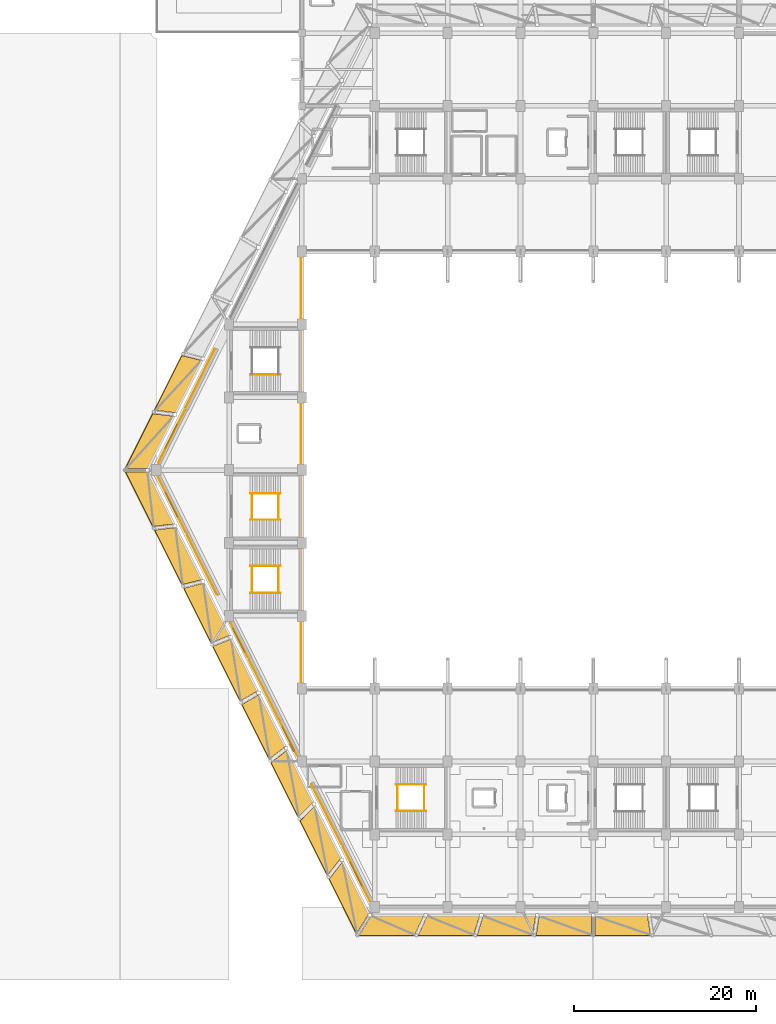
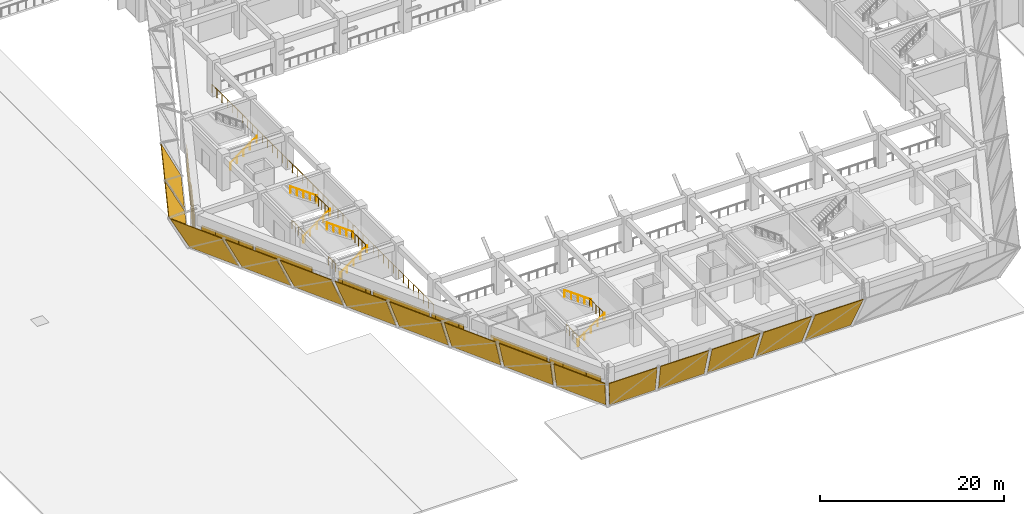
# One storey, part 41 of 46: 24 coverings, 14 railings, 5 shading devices.
"""IFC4 building model written with IfcOpenShell, lengths in metres."""

import ifcopenshell
import ifcopenshell.guid

model = None  # the IFC model being written
_history = None  # IfcOwnerHistory: only IFC2X3 demands one
_inside = {}  # id of a spatial element -> (the spatial element, [elements in it])
_under = {}  # id of a project, library or spatial element -> (it, [spatial elements below it])
_declared = {}  # id of a project -> (the project, [libraries it declares])
_typed = {}  # id of a type object -> (the type object, [elements of that type])
_made_of = {}  # id of a material, layer set ... -> (it, [elements and type objects made of it])


def new_model(schema):
    """Start an empty IFC model of exactly this schema.

    Asked for "IFC4X3", IfcOpenShell would pick the latest addendum, in which some entities
    have other attributes; the version numbers below select the first issue.
    IFC2X3 requires an IfcOwnerHistory on every rooted entity: one is made here for all.
    """
    global model, _history
    if schema == "IFC4X3":
        model = ifcopenshell.file(schema_version=(4, 3, 0, 0))
    else:
        model = ifcopenshell.file(schema=schema)
    _inside.clear()
    _under.clear()
    _declared.clear()
    _typed.clear()
    _made_of.clear()
    _history = None
    if model.schema == "IFC2X3":
        org = make("IfcOrganization", Name="unknown")
        user = make(
            "IfcPersonAndOrganization",
            ThePerson=make("IfcPerson", FamilyName="unknown"),
            TheOrganization=org,
        )
        app = make(
            "IfcApplication",
            ApplicationDeveloper=org,
            Version="unknown",
            ApplicationFullName="unknown",
            ApplicationIdentifier="unknown",
        )
        _history = make(
            "IfcOwnerHistory",
            OwningUser=user,
            OwningApplication=app,
            ChangeAction="ADDED",
            CreationDate=0,
        )
    return model


def make(cls, **values):
    """One entity of the class cls with the attributes given. An attribute that is None is left unset."""
    return model.create_entity(
        cls, **{name: value for name, value in values.items() if value is not None}
    )


def rooted(cls, **values):
    """An entity with a GlobalId (a new one), such as an element, a storey or a relation."""
    return make(cls, GlobalId=ifcopenshell.guid.new(), OwnerHistory=_history, **values)


def si_unit(unit_type, name, prefix=None):
    """IfcSIUnit, for example si_unit("LENGTHUNIT", "METRE", prefix="MILLI")."""
    return make("IfcSIUnit", UnitType=unit_type, Prefix=prefix, Name=name)


def assignment(units):
    """IfcUnitAssignment: the units of a project."""
    return None if units is None else make("IfcUnitAssignment", Units=units)


def point(xyz):
    """IfcCartesianPoint."""
    return None if xyz is None else make("IfcCartesianPoint", Coordinates=xyz)


def direction(xyz):
    """IfcDirection."""
    return None if xyz is None else make("IfcDirection", DirectionRatios=xyz)


def frame(location, z_axis=None, x_axis=None):
    """IfcAxis2Placement3D, a coordinate frame: its origin and axes. An axis left out is left unset."""
    return make(
        "IfcAxis2Placement3D",
        Location=point(location),
        Axis=direction(z_axis),
        RefDirection=direction(x_axis),
    )


def frame_2d(location, x_axis=None):
    """IfcAxis2Placement2D, a coordinate frame in the plane: its origin and x axis."""
    return make(
        "IfcAxis2Placement2D", Location=point(location), RefDirection=direction(x_axis)
    )


def origin():
    """The frame at (0, 0, 0) with its axes left unset."""
    return frame((0.0, 0.0, 0.0))


def origin_2d():
    """The frame at (0, 0) in the plane with its x axis left unset."""
    return frame_2d((0.0, 0.0))


def place(relative_to, where):
    """IfcLocalPlacement: puts the frame where relative to a parent placement (None: the world)."""
    return make(
        "IfcLocalPlacement", PlacementRelTo=relative_to, RelativePlacement=where
    )


def context(
    kind, dimensions, precision=None, world=None, true_north=None, identifier=None
):
    """IfcGeometricRepresentationContext, for example the 3D "Model" context."""
    return make(
        "IfcGeometricRepresentationContext",
        ContextIdentifier=identifier,
        ContextType=kind,
        CoordinateSpaceDimension=dimensions,
        Precision=precision,
        WorldCoordinateSystem=world,
        TrueNorth=true_north,
    )


def subcontext(parent, identifier, kind, view, scale=None):
    """IfcGeometricRepresentationSubContext, for example "Body" below "Model"."""
    return make(
        "IfcGeometricRepresentationSubContext",
        ContextIdentifier=identifier,
        ContextType=kind,
        ParentContext=parent,
        TargetScale=scale,
        TargetView=view,
    )


def project(units=None, contexts=None):
    """IfcProject with its units and contexts."""
    return rooted(
        "IfcProject",
        Name="project",
        RepresentationContexts=contexts,
        UnitsInContext=assignment(units),
    )


def spatial(cls, under=None, at=None, **own):
    """A site, building, storey or space (cls), placed at a placement, below another one or the project."""
    s = rooted(cls, ObjectPlacement=at, **own)
    if under is not None:
        _under.setdefault(under.id(), (under, []))[1].append(s)
    return s


def polyline(points):
    """IfcPolyline through the points."""
    return make("IfcPolyline", Points=[point(p) for p in points])


def profile(cls, at=None, kind="AREA", **sizes):
    """A parametric profile (cls). Its sizes go by their IFC names, for example OverallWidth=200.0."""
    return make(cls, ProfileType=kind, Position=at, **sizes)


def rectangle(**sizes):
    """IfcRectangleProfileDef."""
    return profile("IfcRectangleProfileDef", **sizes)


def circle(**sizes):
    """IfcCircleProfileDef."""
    return profile("IfcCircleProfileDef", **sizes)


def outline(outer, holes=None, kind="AREA"):
    """IfcArbitraryClosedProfileDef: a profile drawn as a closed curve; with holes, ...WithVoids."""
    if holes is None:
        return make("IfcArbitraryClosedProfileDef", ProfileType=kind, OuterCurve=outer)
    return make(
        "IfcArbitraryProfileDefWithVoids",
        ProfileType=kind,
        OuterCurve=outer,
        InnerCurves=holes,
    )


def extrude(swept, where, along, depth):
    """IfcExtrudedAreaSolid: the profile swept, set in the frame where, extruded along a direction by depth."""
    return make(
        "IfcExtrudedAreaSolid",
        SweptArea=swept,
        Position=where,
        ExtrudedDirection=direction(along),
        Depth=depth,
    )


def shape(context_of_items, identifier, shape_type, items):
    """IfcShapeRepresentation: the items that make up one representation, for example the "Body"."""
    return make(
        "IfcShapeRepresentation",
        ContextOfItems=context_of_items,
        RepresentationIdentifier=identifier,
        RepresentationType=shape_type,
        Items=items,
    )


def material(Name=None, Category=None):
    """IfcMaterial."""
    return make("IfcMaterial", Name=Name, Category=Category)


def layer(
    of_material, thickness, ventilated=None, Name=None, Category=None, Priority=None
):
    """IfcMaterialLayer: one layer of a wall or slab, of a material (None: an air gap)."""
    return make(
        "IfcMaterialLayer",
        Material=of_material,
        LayerThickness=thickness,
        IsVentilated=ventilated,
        Name=Name,
        Category=Category,
        Priority=Priority,
    )


def layer_set(layers, Name=None):
    """IfcMaterialLayerSet."""
    return make("IfcMaterialLayerSet", MaterialLayers=layers, LayerSetName=Name)


def made_of(thing, what):
    """Note that an element or type object is made of a material, layer set ...; save() writes the relation."""
    if what is not None:
        _made_of.setdefault(what.id(), (what, []))[1].append(thing)
    return thing


def type_object(cls, material=None, **own):
    """A type object (cls), such as IfcWallType, which elements share."""
    return made_of(rooted(cls, **own), material)


def element(
    cls,
    number,
    at=None,
    inside=None,
    cuts=None,
    type_object=None,
    material=None,
    context=None,
    identifier="Body",
    shape_type=None,
    held_by="IfcProductDefinitionShape",
    body=None,
    shapes=None,
    **own,
):
    """One element of the class cls, such as IfcWall. Its Tag is "e" and its number.

    at: its placement. inside: the storey or other place that contains it. cuts: it is an
    opening in that element (IfcRelVoidsElement). A single representation is given by context,
    identifier, shape_type and body (its items); several are given by shapes. held_by: the class
    of the entity that holds the representations. save() writes the other relations.
    """
    e = rooted(cls, Tag="e%d" % number, ObjectPlacement=at, **own)
    if body is not None:
        shapes = [shape(context, identifier, shape_type, body)]
    if shapes is not None:
        e.Representation = make(held_by, Representations=shapes)
    if inside is not None:
        _inside.setdefault(inside.id(), (inside, []))[1].append(e)
    if cuts is not None:
        rooted(
            "IfcRelVoidsElement", RelatingBuildingElement=cuts, RelatedOpeningElement=e
        )
    if type_object is not None:
        _typed.setdefault(type_object.id(), (type_object, []))[1].append(e)
    return made_of(e, material)


def aggregate(whole, parts):
    """IfcRelAggregates: a whole, such as a stair, and the parts it consists of."""
    return rooted("IfcRelAggregates", RelatingObject=whole, RelatedObjects=parts)


def save(model, path):
    """Write the relations noted so far, then the file.

    IfcRelAggregates (storeys below a building ...), IfcRelContainedInSpatialStructure (elements
    in a storey), IfcRelDefinesByType, IfcRelAssociatesMaterial and IfcRelDeclares: one each for
    every whole, place, type object, material and project.
    """
    for whole, parts in _under.values():
        aggregate(whole, parts)
    for where, things in _inside.values():
        rooted(
            "IfcRelContainedInSpatialStructure",
            RelatedElements=things,
            RelatingStructure=where,
        )
    for kind, things in _typed.values():
        rooted("IfcRelDefinesByType", RelatedObjects=things, RelatingType=kind)
    for what, things in _made_of.values():
        rooted("IfcRelAssociatesMaterial", RelatedObjects=things, RelatingMaterial=what)
    for by, libraries in _declared.values():
        rooted("IfcRelDeclares", RelatingContext=by, RelatedDefinitions=libraries)
    model.write(path)


model = new_model("IFC4")

# Units and contexts
model_context = context("Model", 3, precision=1e-05, world=origin(), true_north=direction((0.0, 1.0)))
body_context = subcontext(model_context, "Body", "Model", "MODEL_VIEW")
ifc_project = project(units=[si_unit("LENGTHUNIT", "METRE"), si_unit("AREAUNIT", "SQUARE_METRE"), si_unit("VOLUMEUNIT", "CUBIC_METRE"), si_unit("PLANEANGLEUNIT", "RADIAN"), si_unit("MASSUNIT", "GRAM", prefix="KILO")], contexts=[model_context])

# Site, building, storey
site_placement = place(None, origin())
site = spatial("IfcSite", under=ifc_project, at=site_placement, CompositionType="ELEMENT")
building_placement = place(site_placement, origin())
building = spatial("IfcBuilding", under=site, at=building_placement, Name="Tazarka Park Arena", CompositionType="ELEMENT")
storey_placement = place(building_placement, frame((0.0, 0.0, 10.199951171875)))
storey = spatial("IfcBuildingStorey", under=building, at=storey_placement, Name="L02", CompositionType="ELEMENT", Elevation=10.199951171875)

# Coverings
ifc_material_1 = material(Name="Dark ribbed perforated bronze-charcoal aluminium mesh", Category="aluminium")
ifc_layer = layer(ifc_material_1, 0.06005859375, Name="Dark ribbed perforated bronze-charcoal aluminium mesh")
ifc_layer_set = layer_set([ifc_layer], Name="Dark ribbed perforated bronze-charcoal aluminium mesh")
covering_type = type_object("IfcCoveringType", Name="CLD-01", PredefinedType="CLADDING", material=ifc_layer_set)
covering_1_placement = place(storey_placement, frame((63.64013671875, 15.10009765625, 0.150146484375), z_axis=(0.0, 0.903917504801, 0.427706844128), x_axis=(1.0, 0.0, 0.0)))
element("IfcCovering", 1, at=covering_1_placement, inside=storey, type_object=covering_type, Name="Folded Gem Lower Ribbed Mesh Facet 001", PredefinedType="CLADDING", context=body_context, shape_type="SweptSolid", body=[
    extrude(outline(polyline([(0.0, 0.0), (5.746337890625, 0.0), (4.715576171875, -5.144166717706446), (-1.3486328125, -5.144166717706446), (0.0, 0.0)])), origin(), (0.0, 0.0, -1.0), 0.080078125),
])
covering_2_placement = place(storey_placement, frame((69.779296875, 15.10009765625, 0.150146484375), z_axis=(0.0, 0.903917504801, 0.427706844128), x_axis=(1.0, 0.0, 0.0)))
element("IfcCovering", 2, at=covering_2_placement, inside=storey, type_object=covering_type, Name="Folded Gem Lower Ribbed Mesh Facet 002", PredefinedType="CLADDING", context=body_context, shape_type="SweptSolid", body=[
    extrude(outline(polyline([(0.0, 0.0), (5.74609375, 0.0), (5.055419921875, -5.144166717706446), (-1.0087890625, -5.144166717706446), (0.0, 0.0)])), origin(), (0.0, 0.0, -1.0), 0.080078125),
])
covering_3_placement = place(storey_placement, frame((75.918212890625, 15.10009765625, 0.150146484375), z_axis=(0.0, 0.903917504801, 0.427706844128), x_axis=(1.0, 0.0, 0.0)))
element("IfcCovering", 3, at=covering_3_placement, inside=storey, type_object=covering_type, Name="Folded Gem Lower Ribbed Mesh Facet 003", PredefinedType="CLADDING", context=body_context, shape_type="SweptSolid", body=[
    extrude(outline(polyline([(0.0, 0.0), (5.746337890625, 0.0), (5.3955078125, -5.144166717706446), (-0.668701171875, -5.144166717706446), (0.0, 0.0)])), origin(), (0.0, 0.0, -1.0), 0.080078125),
])
covering_4_placement = place(storey_placement, frame((82.057373046875, 15.10009765625, 0.150146484375), z_axis=(0.0, 0.903917504801, 0.427706844128), x_axis=(1.0, 0.0, 0.0)))
element("IfcCovering", 4, at=covering_4_placement, inside=storey, type_object=covering_type, Name="Folded Gem Lower Ribbed Mesh Facet 004", PredefinedType="CLADDING", context=body_context, shape_type="SweptSolid", body=[
    extrude(outline(polyline([(0.0, 0.0), (5.746337890625, 0.0), (5.7353515625, -5.144166717706446), (-0.328857421875, -5.144166717706446), (0.0, 0.0)])), origin(), (0.0, 0.0, -1.0), 0.080078125),
])
covering_5_placement = place(storey_placement, frame((88.1962890625, 15.10009765625, 0.150146484375), z_axis=(0.0, 0.903917504801, 0.427706844128), x_axis=(1.0, 0.0, 0.0)))
element("IfcCovering", 5, at=covering_5_placement, inside=storey, type_object=covering_type, Name="Folded Gem Lower Ribbed Mesh Facet 005", PredefinedType="CLADDING", context=body_context, shape_type="SweptSolid", body=[
    extrude(outline(polyline([(0.0, 0.0), (5.746337890625, 0.0), (6.0751953125, -5.144166717706446), (0.010986328125, -5.144166717706446), (0.0, 0.0)])), origin(), (0.0, 0.0, -1.0), 0.080078125),
])
covering_6_placement = place(storey_placement, frame((45.008544921875, 76.029296875, 0.150146484375), z_axis=(0.808498343204, -0.404240736212, 0.427691309502), x_axis=(-0.447207495521, -0.894430240958, 3.226863e-06)))
element("IfcCovering", 6, at=covering_6_placement, inside=storey, type_object=covering_type, Name="Folded Gem Lower Ribbed Mesh Facet 039", PredefinedType="CLADDING", context=body_context, shape_type="SweptSolid", body=[
    extrude(outline(polyline([(0.0, 0.0), (6.396486448149249, 0.0), (7.1793286066740025, -5.144099258387312), (0.49492656908388255, -5.144145955010431), (0.0, 0.0)])), origin(), (0.0, 0.0, -1.0), 0.080078125),
])
covering_7_placement = place(storey_placement, frame((41.9521484375, 69.9169921875, 0.150146484375), z_axis=(0.808506336195, -0.404253168098, 0.427664448388), x_axis=(-0.447210803265, -0.894428587087, -6.598426e-06)))
element("IfcCovering", 7, at=covering_7_placement, inside=storey, type_object=covering_type, Name="Folded Gem Lower Ribbed Mesh Facet 040", PredefinedType="CLADDING", context=body_context, shape_type="SweptSolid", body=[
    extrude(outline(polyline([(0.0, 0.0), (6.39670481451516, -2.220446049250313e-16), (7.486859586412662, -5.144107215608335), (0.8023483668891396, -5.144011727342346), (0.0, 0.0)])), origin(), (0.0, 0.0, -1.0), 0.080078125),
])
covering_8_placement = place(storey_placement, frame((39.091552734375, 63.804443359375, 0.150146484375), z_axis=(0.808506336195, 0.404253168098, 0.427664448388), x_axis=(0.447210803265, -0.894428587087, 6.598426e-06)))
element("IfcCovering", 8, at=covering_8_placement, inside=storey, type_object=covering_type, Name="Folded Gem Lower Ribbed Mesh Facet 041", PredefinedType="CLADDING", context=body_context, shape_type="SweptSolid", body=[
    extrude(outline(polyline([(0.0, 0.0), (6.39670481451516, 2.220446049250313e-16), (5.59435644762602, -5.144011727342346), (-1.0901547718975038, -5.144107215608335), (0.0, 0.0)])), origin(), (0.0, 0.0, -1.0), 0.080078125),
])
covering_9_placement = place(storey_placement, frame((42.147705078125, 57.69189453125, 0.150146484375), z_axis=(0.80849965091, 0.404258260858, 0.427672272898), x_axis=(0.447225280222, -0.894421348488, -9.970539e-06)))
element("IfcCovering", 9, at=covering_9_placement, inside=storey, type_object=covering_type, Name="Folded Gem Lower Ribbed Mesh Facet 042", PredefinedType="CLADDING", context=body_context, shape_type="SweptSolid", body=[
    extrude(outline(polyline([(0.0, 0.0), (6.396595633326958, 0.0), (5.901593959246286, -5.144138726549164), (-0.7828080754604377, -5.143994440996059), (0.0, 0.0)])), origin(), (0.0, 0.0, -1.0), 0.080078125),
])
covering_10_placement = place(storey_placement, frame((45.2041015625, 51.579345703125, 0.150146484375), z_axis=(0.808492620467, 0.404263181245, 0.427680912526), x_axis=(0.447225795617, -0.894421090814, 6.453659e-06)))
element("IfcCovering", 10, at=covering_10_placement, inside=storey, type_object=covering_type, Name="Folded Gem Lower Ribbed Mesh Facet 043", PredefinedType="CLADDING", context=body_context, shape_type="SweptSolid", body=[
    extrude(outline(polyline([(0.0, 0.0), (6.396486447603053, 0.0), (6.209019226510527, -5.144052563182119), (-0.475273629736041, -5.1441459541580175), (0.0, 0.0)])), origin(), (0.0, 0.0, -1.0), 0.080078125),
])
covering_11_placement = place(storey_placement, frame((48.260498046875, 45.466796875, 0.150146484375), z_axis=(0.808491348866, 0.404237239117, 0.427707836402), x_axis=(0.447207495626, -0.894430240905, -3.22696e-06)))
element("IfcCovering", 11, at=covering_11_placement, inside=storey, type_object=covering_type, Name="Folded Gem Lower Ribbed Mesh Facet 044", PredefinedType="CLADDING", context=body_context, shape_type="SweptSolid", body=[
    extrude(outline(polyline([(0.0, 0.0), (6.396486448149252, 0.0), (6.516478572895307, -5.144192653392291), (-0.1679234646948027, -5.144145954964716), (0.0, 0.0)])), origin(), (0.0, 0.0, -1.0), 0.080078125),
])
covering_12_placement = place(storey_placement, frame((51.316650390625, 39.3544921875, 0.150146484375), z_axis=(0.808506063498, 0.404236161161, 0.427681039207), x_axis=(0.447198603137, -0.894434687024, 1.45126e-07)))
element("IfcCovering", 12, at=covering_12_placement, inside=storey, type_object=covering_type, Name="Folded Gem Lower Ribbed Mesh Facet 045", PredefinedType="CLADDING", context=body_context, shape_type="SweptSolid", body=[
    extrude(outline(polyline([(0.0, 0.0), (6.39670481527617, 0.0), (6.824193838133479, -5.144096138167544), (0.13979180020671544, -5.144098238337328), (0.0, 0.0)])), origin(), (0.0, 0.0, -1.0), 0.080078125),
])
covering_13_placement = place(storey_placement, frame((54.372802734375, 33.241943359375, 0.150146484375), z_axis=(0.808506336195, 0.404253168098, 0.427664448388), x_axis=(0.447210803265, -0.894428587087, 6.598426e-06)))
element("IfcCovering", 13, at=covering_13_placement, inside=storey, type_object=covering_type, Name="Folded Gem Lower Ribbed Mesh Facet 046", PredefinedType="CLADDING", context=body_context, shape_type="SweptSolid", body=[
    extrude(outline(polyline([(0.0, 0.0), (6.39670481451516, 2.220446049250313e-16), (7.1316531821161675, -5.144000505618074), (0.4471419625926445, -5.144095993884061), (0.0, 0.0)])), origin(), (0.0, 0.0, -1.0), 0.080078125),
])
covering_14_placement = place(storey_placement, frame((57.42919921875, 27.12939453125, 0.150146484375), z_axis=(0.808499205731, 0.404241167467, 0.427689271384), x_axis=(0.447207495508, -0.894430240964, -3.226851e-06)))
element("IfcCovering", 14, at=covering_14_placement, inside=storey, type_object=covering_type, Name="Folded Gem Lower Ribbed Mesh Facet 047", PredefinedType="CLADDING", context=body_context, shape_type="SweptSolid", body=[
    extrude(outline(polyline([(0.0, 0.0), (6.396486448149249, 0.0), (7.438856613640228, -5.144145954896959), (0.7544545760501066, -5.144099258496368), (0.0, 0.0)])), origin(), (0.0, 0.0, -1.0), 0.080078125),
])
covering_15_placement = place(storey_placement, frame((60.4853515625, 21.016845703125, 0.150146484375), z_axis=(0.808506336195, 0.404253168098, 0.427664448388), x_axis=(0.4472135955, -0.894427191, 0.0)))
element("IfcCovering", 15, at=covering_15_placement, inside=storey, type_object=covering_type, Name="Folded Gem Lower Ribbed Mesh Facet 048", PredefinedType="CLADDING", context=body_context, shape_type="SweptSolid", body=[
    extrude(outline(polyline([(0.0, 0.0), (6.3964864483313075, 0.0), (7.746315960334721, -5.144052564035382), (1.0621322893124003, -5.144052564035382), (0.0, 0.0)])), origin(), (0.0, 0.0, -1.0), 0.080078125),
])
covering_16_placement = place(storey_placement, frame((41.673095703125, 67.692626953125, 0.0), z_axis=(0.0, 0.0, 1.0), x_axis=(0.447290848419, 0.89438856037, 0.0)))
element("IfcCovering", 16, at=covering_16_placement, inside=storey, type_object=covering_type, Name="Ribbed Metal Mesh Cladding EW-L02-0234", PredefinedType="CLADDING", context=body_context, shape_type="SweptSolid", body=[
    extrude(rectangle(XDim=6.505126953125, YDim=0.06005859375, at=origin_2d()), origin(), (0.0, 0.0, 1.0), 3.0),
])
covering_17_placement = place(storey_placement, frame((44.816650390625, 74.091796875, 0.0), z_axis=(0.0, 0.0, 1.0), x_axis=(0.447290848419, 0.89438856037, 0.0)))
element("IfcCovering", 17, at=covering_17_placement, inside=storey, type_object=covering_type, Name="Ribbed Metal Mesh Cladding EW-L02-0235", PredefinedType="CLADDING", context=body_context, shape_type="SweptSolid", body=[
    extrude(rectangle(XDim=7.153564453125, YDim=0.06005859375, at=origin_2d()), origin(), (0.0, 0.0, 1.0), 3.0),
])
covering_18_placement = place(storey_placement, frame((61.988525390625, 19.642578125, 0.0), z_axis=(0.0, 0.0, 1.0), x_axis=(-0.447290848419, 0.89438856037, 0.0)))
element("IfcCovering", 18, at=covering_18_placement, inside=storey, type_object=covering_type, Name="Ribbed Metal Mesh Cladding EW-L02-0240", PredefinedType="CLADDING", context=body_context, shape_type="SweptSolid", body=[
    extrude(rectangle(XDim=6.718017578125, YDim=0.06005859375, at=origin_2d()), origin(), (0.0, 0.0, 1.0), 3.0),
])
covering_19_placement = place(storey_placement, frame((58.6962890625, 26.205078125, 0.0), z_axis=(0.0, 0.0, 1.0), x_axis=(-0.447290848419, 0.89438856037, 0.0)))
element("IfcCovering", 19, at=covering_19_placement, inside=storey, type_object=covering_type, Name="Ribbed Metal Mesh Cladding EW-L02-0241", PredefinedType="CLADDING", context=body_context, shape_type="SweptSolid", body=[
    extrude(rectangle(XDim=7.366455078125, YDim=0.06005859375, at=origin_2d()), origin(), (0.0, 0.0, 1.0), 3.0),
])
covering_20_placement = place(storey_placement, frame((54.542236328125, 34.49072265625, 0.0), z_axis=(0.0, 0.0, 1.0), x_axis=(-0.447290848419, 0.89438856037, 0.0)))
element("IfcCovering", 20, at=covering_20_placement, inside=storey, type_object=covering_type, Name="Ribbed Metal Mesh Cladding EW-L02-0242", PredefinedType="CLADDING", context=body_context, shape_type="SweptSolid", body=[
    extrude(rectangle(XDim=4.16259765625, YDim=0.06005859375, at=origin_2d()), origin(), (0.0, 0.0, 1.0), 3.0),
])
covering_21_placement = place(storey_placement, frame((51.821044921875, 39.91064453125, 0.0), z_axis=(0.0, 0.0, 1.0), x_axis=(-0.447290848419, 0.89438856037, 0.0)))
element("IfcCovering", 21, at=covering_21_placement, inside=storey, type_object=covering_type, Name="Ribbed Metal Mesh Cladding EW-L02-0243", PredefinedType="CLADDING", context=body_context, shape_type="SweptSolid", body=[
    extrude(rectangle(XDim=7.36669921875, YDim=0.06005859375, at=origin_2d()), origin(), (0.0, 0.0, 1.0), 3.0),
])
covering_22_placement = place(storey_placement, frame((49.10009765625, 45.330322265625, 0.0), z_axis=(0.0, 0.0, 1.0), x_axis=(-0.447290848419, 0.89438856037, 0.0)))
element("IfcCovering", 22, at=covering_22_placement, inside=storey, type_object=covering_type, Name="Ribbed Metal Mesh Cladding EW-L02-0244", PredefinedType="CLADDING", context=body_context, shape_type="SweptSolid", body=[
    extrude(rectangle(XDim=4.16259765625, YDim=0.06005859375, at=origin_2d()), origin(), (0.0, 0.0, 1.0), 3.0),
])
covering_23_placement = place(storey_placement, frame((44.999755859375, 53.642578125, 0.0), z_axis=(0.0, 0.0, 1.0), x_axis=(-0.447290848419, 0.89438856037, 0.0)))
element("IfcCovering", 23, at=covering_23_placement, inside=storey, type_object=covering_type, Name="Ribbed Metal Mesh Cladding EW-L02-0245", PredefinedType="CLADDING", context=body_context, shape_type="SweptSolid", body=[
    extrude(rectangle(XDim=7.366455078125, YDim=0.06005859375, at=origin_2d()), origin(), (0.0, 0.0, 1.0), 3.0),
])
covering_24_placement = place(storey_placement, frame((41.711669921875, 60.207763671875, 0.0), z_axis=(0.0, 0.0, 1.0), x_axis=(-0.447290848419, 0.89438856037, 0.0)))
element("IfcCovering", 24, at=covering_24_placement, inside=storey, type_object=covering_type, Name="Ribbed Metal Mesh Cladding EW-L02-0246", PredefinedType="CLADDING", context=body_context, shape_type="SweptSolid", body=[
    extrude(rectangle(XDim=6.718017578125, YDim=0.06005859375, at=origin_2d()), origin(), (0.0, 0.0, 1.0), 3.0),
])

# Railings
ifc_material_2 = material(Name="Brushed architectural stainless steel", Category="steel")
railing_type_1 = type_object("IfcRailingType", Name="HR-01", PredefinedType="HANDRAIL", material=ifc_material_2)
railing_1_placement = place(storey_placement, frame((66.31494140625, 26.550048828125, 0.0)))
element("IfcRailing", 25, at=railing_1_placement, inside=storey, type_object=railing_type_1, Name="Stair Handrail ST09-L02-F1", PredefinedType="HANDRAIL", context=body_context, shape_type="SweptSolid", body=[
    extrude(circle(Radius=0.02392578125, at=origin_2d()), frame((0.0, 0.0, 0.89599609375), z_axis=(0.809980229442, 0.0, 0.586457183359), x_axis=(0.0, 1.0, 0.0)), (0.0, 0.0, 1.0), 4.092529296875),
    extrude(circle(Radius=0.02099609375, at=origin_2d()), origin(), (0.0, 0.0, 1.0), 0.871826171875),
    extrude(circle(Radius=0.02099609375, at=origin_2d()), frame((0.82861328125, 0.0, 0.60009765625)), (0.0, 0.0, 1.0), 0.871826171875),
    extrude(circle(Radius=0.02099609375, at=origin_2d()), frame((1.657470703125, 0.0, 1.2001953125)), (0.0, 0.0, 1.0), 0.871826171875),
    extrude(circle(Radius=0.02099609375, at=origin_2d()), frame((2.486328125, 0.0, 1.800048828125)), (0.0, 0.0, 1.0), 0.871826171875),
    extrude(circle(Radius=0.02099609375, at=origin_2d()), frame((3.31494140625, 0.0, 2.400146484375)), (0.0, 0.0, 1.0), 0.871826171875),
])
railing_2_placement = place(storey_placement, frame((69.6298828125, 29.449951171875, 2.400146484375)))
element("IfcRailing", 26, at=railing_2_placement, inside=storey, type_object=railing_type_1, Name="Stair Handrail ST09-L02-F2", PredefinedType="HANDRAIL", context=body_context, shape_type="SweptSolid", body=[
    extrude(circle(Radius=0.02392578125, at=origin_2d()), frame((0.0, 0.0, 0.89599609375), z_axis=(-0.810008566192, 0.0, 0.586418044312), x_axis=(0.0, -1.0, 0.0)), (0.0, 0.0, 1.0), 4.092529296875),
    extrude(circle(Radius=0.02099609375, at=origin_2d()), origin(), (0.0, 0.0, 1.0), 0.871826171875),
    extrude(circle(Radius=0.02099609375, at=origin_2d()), frame((-0.82861328125, 0.0, 0.60009765625)), (0.0, 0.0, 1.0), 0.871826171875),
    extrude(circle(Radius=0.02099609375, at=origin_2d()), frame((-1.657470703125, 0.0, 1.199951171875)), (0.0, 0.0, 1.0), 0.871826171875),
    extrude(circle(Radius=0.02099609375, at=origin_2d()), frame((-2.486328125, 0.0, 1.7998046875)), (0.0, 0.0, 1.0), 0.871826171875),
    extrude(circle(Radius=0.02099609375, at=origin_2d()), frame((-3.31494140625, 0.0, 2.39990234375)), (0.0, 0.0, 1.0), 0.871826171875),
])
railing_3_placement = place(storey_placement, frame((50.31494140625, 58.550048828125, 0.0)))
element("IfcRailing", 27, at=railing_3_placement, inside=storey, type_object=railing_type_1, Name="Stair Handrail ST13-L02-F1", PredefinedType="HANDRAIL", context=body_context, shape_type="SweptSolid", body=[
    extrude(circle(Radius=0.02392578125, at=origin_2d()), frame((0.0, 0.0, 0.89599609375), z_axis=(0.809980229442, 0.0, 0.586457183359), x_axis=(0.0, 1.0, 0.0)), (0.0, 0.0, 1.0), 4.092529296875),
    extrude(circle(Radius=0.02099609375, at=origin_2d()), origin(), (0.0, 0.0, 1.0), 0.871826171875),
    extrude(circle(Radius=0.02099609375, at=origin_2d()), frame((0.82861328125, 0.0, 0.60009765625)), (0.0, 0.0, 1.0), 0.871826171875),
    extrude(circle(Radius=0.02099609375, at=origin_2d()), frame((1.657470703125, 0.0, 1.2001953125)), (0.0, 0.0, 1.0), 0.871826171875),
    extrude(circle(Radius=0.02099609375, at=origin_2d()), frame((2.486328125, 0.0, 1.800048828125)), (0.0, 0.0, 1.0), 0.871826171875),
    extrude(circle(Radius=0.02099609375, at=origin_2d()), frame((3.31494140625, 0.0, 2.400146484375)), (0.0, 0.0, 1.0), 0.871826171875),
])
railing_4_placement = place(storey_placement, frame((53.6298828125, 61.449951171875, 2.400146484375)))
element("IfcRailing", 28, at=railing_4_placement, inside=storey, type_object=railing_type_1, Name="Stair Handrail ST13-L02-F2", PredefinedType="HANDRAIL", context=body_context, shape_type="SweptSolid", body=[
    extrude(circle(Radius=0.02392578125, at=origin_2d()), frame((0.0, 0.0, 0.89599609375), z_axis=(-0.810008566192, 0.0, 0.586418044312), x_axis=(0.0, -1.0, 0.0)), (0.0, 0.0, 1.0), 4.092529296875),
    extrude(circle(Radius=0.02099609375, at=origin_2d()), origin(), (0.0, 0.0, 1.0), 0.871826171875),
    extrude(circle(Radius=0.02099609375, at=origin_2d()), frame((-0.82861328125, 0.0, 0.60009765625)), (0.0, 0.0, 1.0), 0.871826171875),
    extrude(circle(Radius=0.02099609375, at=origin_2d()), frame((-1.657470703125, 0.0, 1.199951171875)), (0.0, 0.0, 1.0), 0.871826171875),
    extrude(circle(Radius=0.02099609375, at=origin_2d()), frame((-2.486328125, 0.0, 1.7998046875)), (0.0, 0.0, 1.0), 0.871826171875),
    extrude(circle(Radius=0.02099609375, at=origin_2d()), frame((-3.31494140625, 0.0, 2.39990234375)), (0.0, 0.0, 1.0), 0.871826171875),
])
railing_5_placement = place(storey_placement, frame((50.31494140625, 50.510009765625, 0.0)))
element("IfcRailing", 29, at=railing_5_placement, inside=storey, type_object=railing_type_1, Name="Stair Handrail ST19-L02-F1", PredefinedType="HANDRAIL", context=body_context, shape_type="SweptSolid", body=[
    extrude(circle(Radius=0.02392578125, at=origin_2d()), frame((0.0, 0.0, 0.89599609375), z_axis=(0.809980229442, 0.0, 0.586457183359), x_axis=(0.0, 1.0, 0.0)), (0.0, 0.0, 1.0), 4.092529296875),
    extrude(circle(Radius=0.02099609375, at=origin_2d()), origin(), (0.0, 0.0, 1.0), 0.871826171875),
    extrude(circle(Radius=0.02099609375, at=origin_2d()), frame((0.82861328125, 0.0, 0.60009765625)), (0.0, 0.0, 1.0), 0.871826171875),
    extrude(circle(Radius=0.02099609375, at=origin_2d()), frame((1.657470703125, 0.0, 1.2001953125)), (0.0, 0.0, 1.0), 0.871826171875),
    extrude(circle(Radius=0.02099609375, at=origin_2d()), frame((2.486328125, 0.0, 1.800048828125)), (0.0, 0.0, 1.0), 0.871826171875),
    extrude(circle(Radius=0.02099609375, at=origin_2d()), frame((3.31494140625, 0.0, 2.400146484375)), (0.0, 0.0, 1.0), 0.871826171875),
])
railing_6_placement = place(storey_placement, frame((53.6298828125, 53.489990234375, 2.400146484375)))
element("IfcRailing", 30, at=railing_6_placement, inside=storey, type_object=railing_type_1, Name="Stair Handrail ST19-L02-F2", PredefinedType="HANDRAIL", context=body_context, shape_type="SweptSolid", body=[
    extrude(circle(Radius=0.02392578125, at=origin_2d()), frame((0.0, 0.0, 0.89599609375), z_axis=(-0.810008566192, 0.0, 0.586418044312), x_axis=(0.0, -1.0, 0.0)), (0.0, 0.0, 1.0), 4.092529296875),
    extrude(circle(Radius=0.02099609375, at=origin_2d()), origin(), (0.0, 0.0, 1.0), 0.871826171875),
    extrude(circle(Radius=0.02099609375, at=origin_2d()), frame((-0.82861328125, 0.0, 0.60009765625)), (0.0, 0.0, 1.0), 0.871826171875),
    extrude(circle(Radius=0.02099609375, at=origin_2d()), frame((-1.657470703125, 0.0, 1.199951171875)), (0.0, 0.0, 1.0), 0.871826171875),
    extrude(circle(Radius=0.02099609375, at=origin_2d()), frame((-2.486328125, 0.0, 1.7998046875)), (0.0, 0.0, 1.0), 0.871826171875),
    extrude(circle(Radius=0.02099609375, at=origin_2d()), frame((-3.31494140625, 0.0, 2.39990234375)), (0.0, 0.0, 1.0), 0.871826171875),
])
railing_7_placement = place(storey_placement, frame((50.31494140625, 74.510009765625, 0.0)))
element("IfcRailing", 31, at=railing_7_placement, inside=storey, type_object=railing_type_1, Name="Stair Handrail ST20-L02-F1", PredefinedType="HANDRAIL", context=body_context, shape_type="SweptSolid", body=[
    extrude(circle(Radius=0.02392578125, at=origin_2d()), frame((0.0, 0.0, 0.89599609375), z_axis=(0.809980229442, 0.0, 0.586457183359), x_axis=(0.0, 1.0, 0.0)), (0.0, 0.0, 1.0), 4.092529296875),
    extrude(circle(Radius=0.02099609375, at=origin_2d()), origin(), (0.0, 0.0, 1.0), 0.871826171875),
    extrude(circle(Radius=0.02099609375, at=origin_2d()), frame((0.82861328125, 0.0, 0.60009765625)), (0.0, 0.0, 1.0), 0.871826171875),
    extrude(circle(Radius=0.02099609375, at=origin_2d()), frame((1.657470703125, 0.0, 1.2001953125)), (0.0, 0.0, 1.0), 0.871826171875),
    extrude(circle(Radius=0.02099609375, at=origin_2d()), frame((2.486328125, 0.0, 1.800048828125)), (0.0, 0.0, 1.0), 0.871826171875),
    extrude(circle(Radius=0.02099609375, at=origin_2d()), frame((3.31494140625, 0.0, 2.400146484375)), (0.0, 0.0, 1.0), 0.871826171875),
])
ifc_material_3 = material(Name="Galvanised powder-coated architectural steel", Category="steel")
railing_type_2 = type_object("IfcRailingType", Name="IGR-01", PredefinedType="GUARDRAIL", material=ifc_material_3)
for number, where, name in (
    (32, (66.514892578125, 26.550048828125, 0.0), "Stair Well Guardrail ST09-L02"),
    (33, (69.429931640625, 26.550048828125, 2.400146484375), "Landing Guardrail ST09-L02-M"),
    (34, (50.514892578125, 58.550048828125, 0.0), "Stair Well Guardrail ST13-L02"),
    (35, (53.429931640625, 58.550048828125, 2.400146484375), "Landing Guardrail ST13-L02-M"),
):
    element("IfcRailing", number, at=place(storey_placement, frame(where)), inside=storey, type_object=railing_type_2, Name=name, PredefinedType="GUARDRAIL", context=body_context, shape_type="SweptSolid", body=[
        extrude(circle(Radius=0.02392578125, at=origin_2d()), frame((0.0, 0.0, 1.1259765625), z_axis=(0.0, 1.0, 0.0), x_axis=(-1.0, 0.0, 0.0)), (0.0, 0.0, 1.0), 2.89990234375),
        extrude(circle(Radius=0.02099609375, at=origin_2d()), origin(), (0.0, 0.0, 1.0), 1.101806640625),
        extrude(circle(Radius=0.02099609375, at=origin_2d()), frame((0.0, 0.72509765625, 0.0)), (0.0, 0.0, 1.0), 1.101806640625),
        extrude(circle(Radius=0.02099609375, at=origin_2d()), frame((0.0, 1.449951171875, 0.0)), (0.0, 0.0, 1.0), 1.101806640625),
        extrude(circle(Radius=0.02099609375, at=origin_2d()), frame((0.0, 2.1748046875, 0.0)), (0.0, 0.0, 1.0), 1.101806640625),
        extrude(circle(Radius=0.02099609375, at=origin_2d()), frame((0.0, 2.89990234375, 0.0)), (0.0, 0.0, 1.0), 1.101806640625),
    ])
for number, where, name in (
    (36, (50.514892578125, 50.510009765625, 0.0), "Stair Well Guardrail ST19-L02"),
    (37, (53.429931640625, 50.510009765625, 2.400146484375), "Landing Guardrail ST19-L02-M"),
):
    element("IfcRailing", number, at=place(storey_placement, frame(where)), inside=storey, type_object=railing_type_2, Name=name, PredefinedType="GUARDRAIL", context=body_context, shape_type="SweptSolid", body=[
        extrude(circle(Radius=0.02392578125, at=origin_2d()), frame((0.0, 0.0, 1.1259765625), z_axis=(0.0, 1.0, 0.0), x_axis=(-1.0, 0.0, 0.0)), (0.0, 0.0, 1.0), 2.97998046875),
        extrude(circle(Radius=0.02099609375, at=origin_2d()), origin(), (0.0, 0.0, 1.0), 1.101806640625),
        extrude(circle(Radius=0.02099609375, at=origin_2d()), frame((0.0, 0.7451171875, 0.0)), (0.0, 0.0, 1.0), 1.101806640625),
        extrude(circle(Radius=0.02099609375, at=origin_2d()), frame((0.0, 1.489990234375, 0.0)), (0.0, 0.0, 1.0), 1.101806640625),
        extrude(circle(Radius=0.02099609375, at=origin_2d()), frame((0.0, 2.23486328125, 0.0)), (0.0, 0.0, 1.0), 1.101806640625),
        extrude(circle(Radius=0.02099609375, at=origin_2d()), frame((0.0, 2.97998046875, 0.0)), (0.0, 0.0, 1.0), 1.101806640625),
    ])
railing_8_placement = place(storey_placement, frame((55.8798828125, 39.8798828125, 0.0)))
element("IfcRailing", 38, at=railing_8_placement, inside=storey, type_object=railing_type_2, Name="Interior Barrier Guardrail IGR-01-005", PredefinedType="GUARDRAIL", context=body_context, shape_type="SweptSolid", body=[
    extrude(circle(Radius=0.02392578125, at=origin_2d()), frame((0.0, 0.0, 1.1259765625), z_axis=(0.0, 1.0, 0.0), x_axis=(-1.0, 0.0, 0.0)), (0.0, 0.0, 1.0), 48.240234375),
    extrude(circle(Radius=0.02099609375, at=origin_2d()), origin(), (0.0, 0.0, 1.0), 1.101806640625),
    extrude(circle(Radius=0.02099609375, at=origin_2d()), frame((0.0, 1.096435546875, 0.0)), (0.0, 0.0, 1.0), 1.101806640625),
    extrude(circle(Radius=0.02099609375, at=origin_2d()), frame((0.0, 2.192626953125, 0.0)), (0.0, 0.0, 1.0), 1.101806640625),
    extrude(circle(Radius=0.02099609375, at=origin_2d()), frame((0.0, 3.2890625, 0.0)), (0.0, 0.0, 1.0), 1.101806640625),
    extrude(circle(Radius=0.02099609375, at=origin_2d()), frame((0.0, 4.385498046875, 0.0)), (0.0, 0.0, 1.0), 1.101806640625),
    extrude(circle(Radius=0.02099609375, at=origin_2d()), frame((0.0, 5.48193359375, 0.0)), (0.0, 0.0, 1.0), 1.101806640625),
    extrude(circle(Radius=0.02099609375, at=origin_2d()), frame((0.0, 6.578125, 0.0)), (0.0, 0.0, 1.0), 1.101806640625),
    extrude(circle(Radius=0.02099609375, at=origin_2d()), frame((0.0, 7.674560546875, 0.0)), (0.0, 0.0, 1.0), 1.101806640625),
    extrude(circle(Radius=0.02099609375, at=origin_2d()), frame((0.0, 8.77099609375, 0.0)), (0.0, 0.0, 1.0), 1.101806640625),
    extrude(circle(Radius=0.02099609375, at=origin_2d()), frame((0.0, 9.867431640625, 0.0)), (0.0, 0.0, 1.0), 1.101806640625),
    extrude(circle(Radius=0.02099609375, at=origin_2d()), frame((0.0, 10.963623046875, 0.0)), (0.0, 0.0, 1.0), 1.101806640625),
    extrude(circle(Radius=0.02099609375, at=origin_2d()), frame((0.0, 12.06005859375, 0.0)), (0.0, 0.0, 1.0), 1.101806640625),
    extrude(circle(Radius=0.02099609375, at=origin_2d()), frame((0.0, 13.156494140625, 0.0)), (0.0, 0.0, 1.0), 1.101806640625),
    extrude(circle(Radius=0.02099609375, at=origin_2d()), frame((0.0, 14.252685546875, 0.0)), (0.0, 0.0, 1.0), 1.101806640625),
    extrude(circle(Radius=0.02099609375, at=origin_2d()), frame((0.0, 15.34912109375, 0.0)), (0.0, 0.0, 1.0), 1.101806640625),
    extrude(circle(Radius=0.02099609375, at=origin_2d()), frame((0.0, 16.445556640625, 0.0)), (0.0, 0.0, 1.0), 1.101806640625),
    extrude(circle(Radius=0.02099609375, at=origin_2d()), frame((0.0, 17.5419921875, 0.0)), (0.0, 0.0, 1.0), 1.101806640625),
    extrude(circle(Radius=0.02099609375, at=origin_2d()), frame((0.0, 18.63818359375, 0.0)), (0.0, 0.0, 1.0), 1.101806640625),
    extrude(circle(Radius=0.02099609375, at=origin_2d()), frame((0.0, 19.734619140625, 0.0)), (0.0, 0.0, 1.0), 1.101806640625),
    extrude(circle(Radius=0.02099609375, at=origin_2d()), frame((0.0, 20.8310546875, 0.0)), (0.0, 0.0, 1.0), 1.101806640625),
    extrude(circle(Radius=0.02099609375, at=origin_2d()), frame((0.0, 21.927490234375, 0.0)), (0.0, 0.0, 1.0), 1.101806640625),
    extrude(circle(Radius=0.02099609375, at=origin_2d()), frame((0.0, 23.023681640625, 0.0)), (0.0, 0.0, 1.0), 1.101806640625),
    extrude(circle(Radius=0.02099609375, at=origin_2d()), frame((0.0, 24.1201171875, 0.0)), (0.0, 0.0, 1.0), 1.101806640625),
    extrude(circle(Radius=0.02099609375, at=origin_2d()), frame((0.0, 25.216552734375, 0.0)), (0.0, 0.0, 1.0), 1.101806640625),
    extrude(circle(Radius=0.02099609375, at=origin_2d()), frame((0.0, 26.312744140625, 0.0)), (0.0, 0.0, 1.0), 1.101806640625),
    extrude(circle(Radius=0.02099609375, at=origin_2d()), frame((0.0, 27.4091796875, 0.0)), (0.0, 0.0, 1.0), 1.101806640625),
    extrude(circle(Radius=0.02099609375, at=origin_2d()), frame((0.0, 28.505615234375, 0.0)), (0.0, 0.0, 1.0), 1.101806640625),
    extrude(circle(Radius=0.02099609375, at=origin_2d()), frame((0.0, 29.60205078125, 0.0)), (0.0, 0.0, 1.0), 1.101806640625),
    extrude(circle(Radius=0.02099609375, at=origin_2d()), frame((0.0, 30.6982421875, 0.0)), (0.0, 0.0, 1.0), 1.101806640625),
    extrude(circle(Radius=0.02099609375, at=origin_2d()), frame((0.0, 31.794677734375, 0.0)), (0.0, 0.0, 1.0), 1.101806640625),
    extrude(circle(Radius=0.02099609375, at=origin_2d()), frame((0.0, 32.89111328125, 0.0)), (0.0, 0.0, 1.0), 1.101806640625),
    extrude(circle(Radius=0.02099609375, at=origin_2d()), frame((0.0, 33.987548828125, 0.0)), (0.0, 0.0, 1.0), 1.101806640625),
    extrude(circle(Radius=0.02099609375, at=origin_2d()), frame((0.0, 35.083740234375, 0.0)), (0.0, 0.0, 1.0), 1.101806640625),
    extrude(circle(Radius=0.02099609375, at=origin_2d()), frame((0.0, 36.18017578125, 0.0)), (0.0, 0.0, 1.0), 1.101806640625),
    extrude(circle(Radius=0.02099609375, at=origin_2d()), frame((0.0, 37.276611328125, 0.0)), (0.0, 0.0, 1.0), 1.101806640625),
    extrude(circle(Radius=0.02099609375, at=origin_2d()), frame((0.0, 38.372802734375, 0.0)), (0.0, 0.0, 1.0), 1.101806640625),
    extrude(circle(Radius=0.02099609375, at=origin_2d()), frame((0.0, 39.46923828125, 0.0)), (0.0, 0.0, 1.0), 1.101806640625),
    extrude(circle(Radius=0.02099609375, at=origin_2d()), frame((0.0, 40.565673828125, 0.0)), (0.0, 0.0, 1.0), 1.101806640625),
    extrude(circle(Radius=0.02099609375, at=origin_2d()), frame((0.0, 41.662109375, 0.0)), (0.0, 0.0, 1.0), 1.101806640625),
    extrude(circle(Radius=0.02099609375, at=origin_2d()), frame((0.0, 42.75830078125, 0.0)), (0.0, 0.0, 1.0), 1.101806640625),
    extrude(circle(Radius=0.02099609375, at=origin_2d()), frame((0.0, 43.854736328125, 0.0)), (0.0, 0.0, 1.0), 1.101806640625),
    extrude(circle(Radius=0.02099609375, at=origin_2d()), frame((0.0, 44.951171875, 0.0)), (0.0, 0.0, 1.0), 1.101806640625),
    extrude(circle(Radius=0.02099609375, at=origin_2d()), frame((0.0, 46.047607421875, 0.0)), (0.0, 0.0, 1.0), 1.101806640625),
    extrude(circle(Radius=0.02099609375, at=origin_2d()), frame((0.0, 47.143798828125, 0.0)), (0.0, 0.0, 1.0), 1.101806640625),
    extrude(circle(Radius=0.02099609375, at=origin_2d()), frame((0.0, 48.240234375, 0.0)), (0.0, 0.0, 1.0), 1.101806640625),
])

# Shading devices
ifc_material_4 = material(Name="Dark ribbed perforated bronze-charcoal aluminium mesh", Category="aluminium")
shading_device_type = type_object("IfcShadingDeviceType", Name="SHD-02", PredefinedType="JALOUSIE", material=ifc_material_4)
for number, where, z_axis, x_axis, name in (
    (39, (41.619384765625, 67.719482421875, 0.0), (0.0, 0.0, 1.0), (0.447290848419, 0.89438856037, 0.0), "Perforated Mesh Screen EW-L02-0234"),
    (40, (61.93505859375, 19.61572265625, 0.0), (0.0, 0.0, 1.0), (-0.447290848419, 0.89438856037, 0.0), "Perforated Mesh Screen EW-L02-0240"),
    (41, (54.488525390625, 34.4638671875, 0.0), (0.0, 0.0, 1.0), (-0.447290848419, 0.89438856037, 0.0), "Perforated Mesh Screen EW-L02-0242"),
    (42, (49.04638671875, 45.3037109375, 0.0), (0.0, 0.0, 1.0), (-0.447290848419, 0.89438856037, 0.0), "Perforated Mesh Screen EW-L02-0244"),
    (43, (41.658203125, 60.180908203125, 0.0), (0.0, 0.0, 1.0), (-0.447290848419, 0.89438856037, 0.0), "Perforated Mesh Screen EW-L02-0246"),
):
    element("IfcShadingDevice", number, at=place(storey_placement, frame(where, z_axis=z_axis, x_axis=x_axis)), inside=storey, type_object=shading_device_type, Name=name, PredefinedType="JALOUSIE", context=body_context, shape_type="SweptSolid", body=[
        extrude(rectangle(XDim=3.0, YDim=0.139892578125, at=origin_2d()), origin(), (0.0, 0.0, 1.0), 3.0),
    ])

save(model, "model.ifc")
